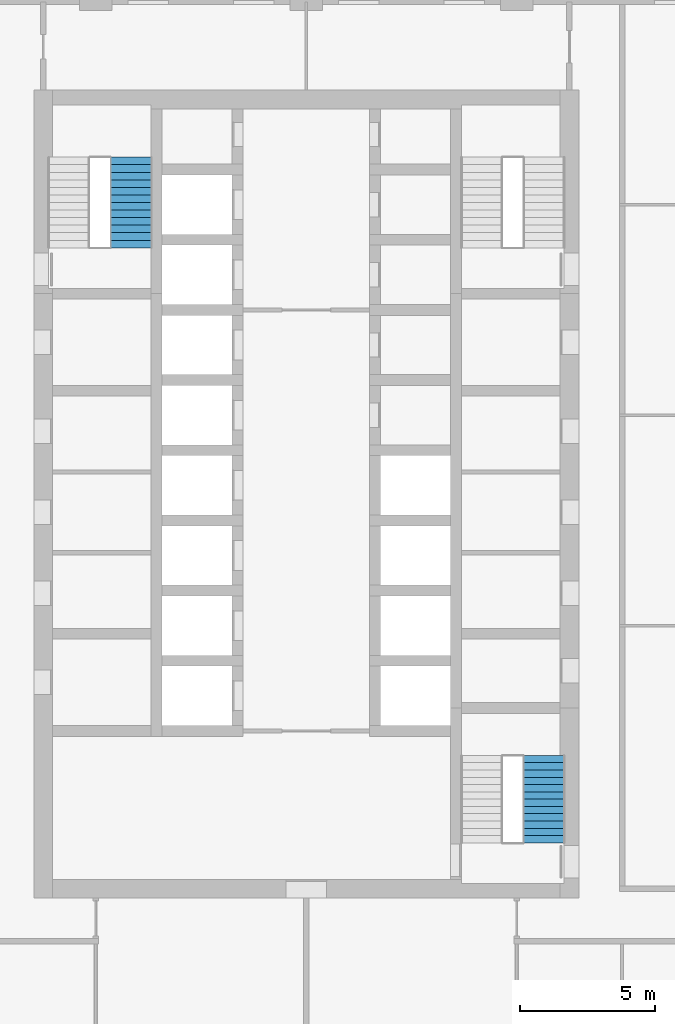
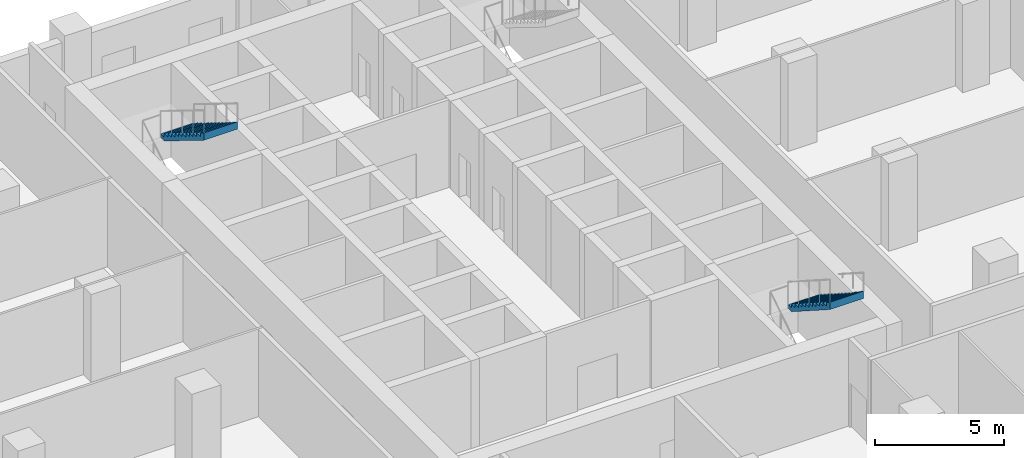
# One storey, part 17 of 23: 2 stair flights, 2 elements without a shape of their own.
"""IFC4 building model written with IfcOpenShell, lengths in metres."""

from ifc_helpers import new_model, si_unit, direction, frame, origin, place, context, subcontext, project, spatial, triangles, material, type_object, element, aggregate, save


model = new_model("IFC4")

# Units and contexts
model_context = context("Model", 3, precision=1e-05, world=origin(), true_north=direction((0.0, 1.0)))
body_context = subcontext(model_context, "Body", "Model", "MODEL_VIEW")
ifc_project = project(units=[si_unit("LENGTHUNIT", "METRE"), si_unit("AREAUNIT", "SQUARE_METRE"), si_unit("VOLUMEUNIT", "CUBIC_METRE"), si_unit("PLANEANGLEUNIT", "RADIAN"), si_unit("MASSUNIT", "GRAM", prefix="KILO")], contexts=[model_context])

# Site, building, storey
site_placement = place(None, origin())
site = spatial("IfcSite", under=ifc_project, at=site_placement, CompositionType="ELEMENT")
building_placement = place(site_placement, origin())
building = spatial("IfcBuilding", under=site, at=building_placement, Name="Ludao Terraces", CompositionType="ELEMENT")
storey_placement = place(building_placement, frame((0.0, 0.0, 10.5)))
storey = spatial("IfcBuildingStorey", under=building, at=storey_placement, Name="L02", CompositionType="ELEMENT", Elevation=10.5)

# Stair, stair flight
ifc_material = material(Name="Concrete C40", Category="concrete")
stair_type = type_object("IfcStairType", Name="INT Stair", PredefinedType="HALF_TURN_STAIR", material=ifc_material)
stair_1_placement = place(storey_placement, origin())
stair_1 = element("IfcStair", 1, at=stair_1_placement, inside=storey, type_object=stair_type, Name="EXIT STAIR 1", PredefinedType="HALF_TURN_STAIR")
stair_flight_type = type_object("IfcStairFlightType", Name="INT Stair flight", PredefinedType="STRAIGHT", material=ifc_material)
stair_flight_1_placement = place(storey_placement, frame((78.5, 82.360107421875, 2.25), z_axis=(0.0, 0.0, 1.0), x_axis=(0.0, -1.0, 0.0)))
stair_flight_1 = element("IfcStairFlight", 2, at=stair_flight_1_placement, type_object=stair_flight_type, Name="ST1 flight 2", NumberOfRisers=13, NumberOfTreads=12, PredefinedType="STRAIGHT", RiserHeight=0.173077, TreadLength=0.28, context=body_context, shape_type="Tessellation", body=[
    triangles([(0.0, -0.75, 0.0), (0.0, -0.5, 0.0), (0.0, -0.25, 0.0), (0.0, 0.0, 0.0), (0.0, 0.25, 0.0), (0.0, 0.5, 0.0), (0.0, 0.75, 0.0), (0.0, -0.75, 0.173095703125), (0.0, -0.5, 0.173095703125), (0.0, -0.25, 0.173095703125), (0.0, 0.0, 0.173095703125), (0.0, 0.25, 0.173095703125), (0.0, 0.5, 0.173095703125), (0.0, 0.75, 0.173095703125), (0.280029296875, -0.75, 0.173095703125), (0.280029296875, -0.5, 0.173095703125), (0.280029296875, -0.25, 0.173095703125), (0.280029296875, 0.0, 0.173095703125), (0.280029296875, 0.25, 0.173095703125), (0.280029296875, 0.5, 0.173095703125), (0.280029296875, 0.75, 0.173095703125), (0.280029296875, -0.75, 0.34619140625), (0.280029296875, -0.5, 0.34619140625), (0.280029296875, -0.25, 0.34619140625), (0.280029296875, 0.0, 0.34619140625), (0.280029296875, 0.25, 0.34619140625), (0.280029296875, 0.5, 0.34619140625), (0.280029296875, 0.75, 0.34619140625), (0.56005859375, -0.75, 0.34619140625), (0.56005859375, -0.5, 0.34619140625), (0.56005859375, -0.25, 0.34619140625), (0.56005859375, 0.0, 0.34619140625), (0.56005859375, 0.25, 0.34619140625), (0.56005859375, 0.5, 0.34619140625), (0.56005859375, 0.75, 0.34619140625), (0.56005859375, -0.75, 0.519287109375), (0.56005859375, -0.5, 0.519287109375), (0.56005859375, -0.25, 0.519287109375), (0.56005859375, 0.0, 0.519287109375), (0.56005859375, 0.25, 0.519287109375), (0.56005859375, 0.5, 0.519287109375), (0.56005859375, 0.75, 0.519287109375), (0.840087890625, -0.75, 0.519287109375), (0.840087890625, -0.5, 0.519287109375), (0.840087890625, -0.25, 0.519287109375), (0.840087890625, 0.0, 0.519287109375), (0.840087890625, 0.25, 0.519287109375), (0.840087890625, 0.5, 0.519287109375), (0.840087890625, 0.75, 0.519287109375), (0.840087890625, -0.75, 0.6923828125), (0.840087890625, -0.5, 0.6923828125), (0.840087890625, -0.25, 0.6923828125), (0.840087890625, 0.0, 0.6923828125), (0.840087890625, 0.25, 0.6923828125), (0.840087890625, 0.5, 0.6923828125), (0.840087890625, 0.75, 0.6923828125), (1.1201171875, -0.75, 0.6923828125), (1.1201171875, -0.5, 0.6923828125), (1.1201171875, -0.25, 0.6923828125), (1.1201171875, 0.0, 0.6923828125), (1.1201171875, 0.25, 0.6923828125), (1.1201171875, 0.5, 0.6923828125), (1.1201171875, 0.75, 0.6923828125), (1.1201171875, -0.75, 0.865478515625), (1.1201171875, -0.5, 0.865478515625), (1.1201171875, -0.25, 0.865478515625), (1.1201171875, 0.0, 0.865478515625), (1.1201171875, 0.25, 0.865478515625), (1.1201171875, 0.5, 0.865478515625), (1.1201171875, 0.75, 0.865478515625), (1.39990234375, -0.75, 0.865478515625), (1.39990234375, -0.5, 0.865478515625), (1.39990234375, -0.25, 0.865478515625), (1.39990234375, 0.0, 0.865478515625), (1.39990234375, 0.25, 0.865478515625), (1.39990234375, 0.5, 0.865478515625), (1.39990234375, 0.75, 0.865478515625), (1.39990234375, -0.75, 1.03857421875), (1.39990234375, -0.5, 1.03857421875), (1.39990234375, -0.25, 1.03857421875), (1.39990234375, 0.0, 1.03857421875), (1.39990234375, 0.25, 1.03857421875), (1.39990234375, 0.5, 1.03857421875), (1.39990234375, 0.75, 1.03857421875), (1.679931640625, -0.75, 1.03857421875), (1.679931640625, -0.5, 1.03857421875), (1.679931640625, -0.25, 1.03857421875), (1.679931640625, 0.0, 1.03857421875), (1.679931640625, 0.25, 1.03857421875), (1.679931640625, 0.5, 1.03857421875), (1.679931640625, 0.75, 1.03857421875), (1.679931640625, -0.75, 1.21142578125), (1.679931640625, -0.5, 1.21142578125), (1.679931640625, -0.25, 1.21142578125), (1.679931640625, 0.0, 1.21142578125), (1.679931640625, 0.25, 1.21142578125), (1.679931640625, 0.5, 1.21142578125), (1.679931640625, 0.75, 1.21142578125), (1.9599609375, -0.75, 1.21142578125), (1.9599609375, -0.5, 1.21142578125), (1.9599609375, -0.25, 1.21142578125), (1.9599609375, 0.0, 1.21142578125), (1.9599609375, 0.25, 1.21142578125), (1.9599609375, 0.5, 1.21142578125), (1.9599609375, 0.75, 1.21142578125), (1.9599609375, -0.75, 1.384521484375), (1.9599609375, -0.5, 1.384521484375), (1.9599609375, -0.25, 1.384521484375), (1.9599609375, 0.0, 1.384521484375), (1.9599609375, 0.25, 1.384521484375), (1.9599609375, 0.5, 1.384521484375), (1.9599609375, 0.75, 1.384521484375), (2.239990234375, -0.75, 1.384521484375), (2.239990234375, -0.5, 1.384521484375), (2.239990234375, -0.25, 1.384521484375), (2.239990234375, 0.0, 1.384521484375), (2.239990234375, 0.25, 1.384521484375), (2.239990234375, 0.5, 1.384521484375), (2.239990234375, 0.75, 1.384521484375), (2.239990234375, -0.75, 1.5576171875), (2.239990234375, -0.5, 1.5576171875), (2.239990234375, -0.25, 1.5576171875), (2.239990234375, 0.0, 1.5576171875), (2.239990234375, 0.25, 1.5576171875), (2.239990234375, 0.5, 1.5576171875), (2.239990234375, 0.75, 1.5576171875), (2.52001953125, -0.75, 1.5576171875), (2.52001953125, -0.5, 1.5576171875), (2.52001953125, -0.25, 1.5576171875), (2.52001953125, 0.0, 1.5576171875), (2.52001953125, 0.25, 1.5576171875), (2.52001953125, 0.5, 1.5576171875), (2.52001953125, 0.75, 1.5576171875), (2.52001953125, -0.75, 1.730712890625), (2.52001953125, -0.5, 1.730712890625), (2.52001953125, -0.25, 1.730712890625), (2.52001953125, 0.0, 1.730712890625), (2.52001953125, 0.25, 1.730712890625), (2.52001953125, 0.5, 1.730712890625), (2.52001953125, 0.75, 1.730712890625), (2.800048828125, -0.75, 1.730712890625), (2.800048828125, -0.5, 1.730712890625), (2.800048828125, -0.25, 1.730712890625), (2.800048828125, 0.0, 1.730712890625), (2.800048828125, 0.25, 1.730712890625), (2.800048828125, 0.5, 1.730712890625), (2.800048828125, 0.75, 1.730712890625), (2.800048828125, -0.75, 1.90380859375), (2.800048828125, -0.5, 1.90380859375), (2.800048828125, -0.25, 1.90380859375), (2.800048828125, 0.0, 1.90380859375), (2.800048828125, 0.25, 1.90380859375), (2.800048828125, 0.5, 1.90380859375), (2.800048828125, 0.75, 1.90380859375), (3.080078125, -0.75, 1.90380859375), (3.080078125, -0.5, 1.90380859375), (3.080078125, -0.25, 1.90380859375), (3.080078125, 0.0, 1.90380859375), (3.080078125, 0.25, 1.90380859375), (3.080078125, 0.5, 1.90380859375), (3.080078125, 0.75, 1.90380859375), (3.080078125, -0.75, 2.076904296875), (3.080078125, -0.5, 2.076904296875), (3.080078125, -0.25, 2.076904296875), (3.080078125, 0.0, 2.076904296875), (3.080078125, 0.25, 2.076904296875), (3.080078125, 0.5, 2.076904296875), (3.080078125, 0.75, 2.076904296875), (3.360107421875, -0.75, 2.25), (3.360107421875, -0.5, 2.25), (3.360107421875, -0.25, 2.25), (3.360107421875, 0.0, 2.25), (3.360107421875, 0.25, 2.25), (3.360107421875, 0.5, 2.25), (3.360107421875, 0.75, 2.25), (3.360107421875, -0.75, 1.900634765625), (3.360107421875, -0.5, 1.900634765625), (3.360107421875, -0.25, 1.900634765625), (3.360107421875, 0.0, 1.900634765625), (3.360107421875, 0.25, 1.900634765625), (3.360107421875, 0.5, 1.900634765625), (3.360107421875, 0.75, 1.900634765625), (0.28515625, -0.75, 0.0), (0.28515625, -0.5, 0.0), (0.28515625, -0.25, 0.0), (0.28515625, 0.0, 0.0), (0.28515625, 0.25, 0.0), (0.28515625, 0.5, 0.0), (0.28515625, 0.75, 0.0)], [[1, 183, 176], [7, 182, 189], [176, 169, 162], [182, 168, 175], [176, 162, 155], [182, 161, 168], [176, 155, 148], [182, 154, 161], [176, 148, 141], [182, 147, 154], [141, 134, 127], [147, 133, 140], [176, 141, 127], [182, 133, 147], [127, 120, 113], [133, 119, 126], [176, 127, 113], [182, 119, 133], [113, 106, 99], [119, 105, 112], [176, 113, 99], [182, 105, 119], [1, 176, 99], [7, 105, 182], [99, 92, 85], [105, 91, 98], [85, 78, 71], [91, 77, 84], [99, 85, 71], [105, 77, 91], [71, 64, 57], [77, 63, 70], [99, 71, 57], [105, 63, 77], [57, 50, 43], [63, 49, 56], [99, 57, 43], [105, 49, 63], [43, 36, 29], [49, 35, 42], [99, 43, 29], [105, 35, 49], [29, 22, 15], [35, 21, 28], [99, 29, 15], [105, 21, 35], [1, 99, 15], [7, 21, 105], [15, 8, 1], [21, 7, 14], [1, 9, 2], [1, 8, 9], [2, 10, 3], [2, 9, 10], [3, 11, 4], [3, 10, 11], [4, 12, 5], [4, 11, 12], [5, 13, 6], [5, 12, 13], [6, 14, 7], [6, 13, 14], [8, 16, 9], [8, 15, 16], [9, 17, 10], [9, 16, 17], [10, 18, 11], [10, 17, 18], [11, 19, 12], [11, 18, 19], [12, 20, 13], [12, 19, 20], [13, 21, 14], [13, 20, 21], [15, 23, 16], [15, 22, 23], [16, 24, 17], [16, 23, 24], [17, 25, 18], [17, 24, 25], [18, 26, 19], [18, 25, 26], [19, 27, 20], [19, 26, 27], [20, 28, 21], [20, 27, 28], [22, 30, 23], [22, 29, 30], [23, 31, 24], [23, 30, 31], [24, 32, 25], [24, 31, 32], [25, 33, 26], [25, 32, 33], [26, 34, 27], [26, 33, 34], [27, 35, 28], [27, 34, 35], [29, 37, 30], [29, 36, 37], [30, 38, 31], [30, 37, 38], [31, 39, 32], [31, 38, 39], [32, 40, 33], [32, 39, 40], [33, 41, 34], [33, 40, 41], [34, 42, 35], [34, 41, 42], [36, 44, 37], [36, 43, 44], [37, 45, 38], [37, 44, 45], [38, 46, 39], [38, 45, 46], [39, 47, 40], [39, 46, 47], [40, 48, 41], [40, 47, 48], [41, 49, 42], [41, 48, 49], [43, 51, 44], [43, 50, 51], [44, 52, 45], [44, 51, 52], [45, 53, 46], [45, 52, 53], [46, 54, 47], [46, 53, 54], [47, 55, 48], [47, 54, 55], [48, 56, 49], [48, 55, 56], [50, 58, 51], [50, 57, 58], [51, 59, 52], [51, 58, 59], [52, 60, 53], [52, 59, 60], [53, 61, 54], [53, 60, 61], [54, 62, 55], [54, 61, 62], [55, 63, 56], [55, 62, 63], [57, 65, 58], [57, 64, 65], [58, 66, 59], [58, 65, 66], [59, 67, 60], [59, 66, 67], [60, 68, 61], [60, 67, 68], [61, 69, 62], [61, 68, 69], [62, 70, 63], [62, 69, 70], [64, 72, 65], [64, 71, 72], [65, 73, 66], [65, 72, 73], [66, 74, 67], [66, 73, 74], [67, 75, 68], [67, 74, 75], [68, 76, 69], [68, 75, 76], [69, 77, 70], [69, 76, 77], [71, 79, 72], [71, 78, 79], [72, 80, 73], [72, 79, 80], [73, 81, 74], [73, 80, 81], [74, 82, 75], [74, 81, 82], [75, 83, 76], [75, 82, 83], [76, 84, 77], [76, 83, 84], [78, 86, 79], [78, 85, 86], [79, 87, 80], [79, 86, 87], [80, 88, 81], [80, 87, 88], [81, 89, 82], [81, 88, 89], [82, 90, 83], [82, 89, 90], [83, 91, 84], [83, 90, 91], [85, 93, 86], [85, 92, 93], [86, 94, 87], [86, 93, 94], [87, 95, 88], [87, 94, 95], [88, 96, 89], [88, 95, 96], [89, 97, 90], [89, 96, 97], [90, 98, 91], [90, 97, 98], [92, 100, 93], [92, 99, 100], [93, 101, 94], [93, 100, 101], [94, 102, 95], [94, 101, 102], [95, 103, 96], [95, 102, 103], [96, 104, 97], [96, 103, 104], [97, 105, 98], [97, 104, 105], [99, 107, 100], [99, 106, 107], [100, 108, 101], [100, 107, 108], [101, 109, 102], [101, 108, 109], [102, 110, 103], [102, 109, 110], [103, 111, 104], [103, 110, 111], [104, 112, 105], [104, 111, 112], [106, 114, 107], [106, 113, 114], [107, 115, 108], [107, 114, 115], [108, 116, 109], [108, 115, 116], [109, 117, 110], [109, 116, 117], [110, 118, 111], [110, 117, 118], [111, 119, 112], [111, 118, 119], [113, 121, 114], [113, 120, 121], [114, 122, 115], [114, 121, 122], [115, 123, 116], [115, 122, 123], [116, 124, 117], [116, 123, 124], [117, 125, 118], [117, 124, 125], [118, 126, 119], [118, 125, 126], [120, 128, 121], [120, 127, 128], [121, 129, 122], [121, 128, 129], [122, 130, 123], [122, 129, 130], [123, 131, 124], [123, 130, 131], [124, 132, 125], [124, 131, 132], [125, 133, 126], [125, 132, 133], [127, 135, 128], [127, 134, 135], [128, 136, 129], [128, 135, 136], [129, 137, 130], [129, 136, 137], [130, 138, 131], [130, 137, 138], [131, 139, 132], [131, 138, 139], [132, 140, 133], [132, 139, 140], [134, 142, 135], [134, 141, 142], [135, 143, 136], [135, 142, 143], [136, 144, 137], [136, 143, 144], [137, 145, 138], [137, 144, 145], [138, 146, 139], [138, 145, 146], [139, 147, 140], [139, 146, 147], [141, 149, 142], [141, 148, 149], [142, 150, 143], [142, 149, 150], [143, 151, 144], [143, 150, 151], [144, 152, 145], [144, 151, 152], [145, 153, 146], [145, 152, 153], [146, 154, 147], [146, 153, 154], [148, 156, 149], [148, 155, 156], [149, 157, 150], [149, 156, 157], [150, 158, 151], [150, 157, 158], [151, 159, 152], [151, 158, 159], [152, 160, 153], [152, 159, 160], [153, 161, 154], [153, 160, 161], [155, 163, 156], [155, 162, 163], [156, 164, 157], [156, 163, 164], [157, 165, 158], [157, 164, 165], [158, 166, 159], [158, 165, 166], [159, 167, 160], [159, 166, 167], [160, 168, 161], [160, 167, 168], [162, 170, 163], [162, 169, 170], [163, 171, 164], [163, 170, 171], [164, 172, 165], [164, 171, 172], [165, 173, 166], [165, 172, 173], [166, 174, 167], [166, 173, 174], [167, 175, 168], [167, 174, 175], [169, 177, 170], [169, 176, 177], [170, 178, 171], [170, 177, 178], [171, 179, 172], [171, 178, 179], [172, 180, 173], [172, 179, 180], [173, 181, 174], [173, 180, 181], [174, 182, 175], [174, 181, 182], [176, 184, 177], [176, 183, 184], [177, 185, 178], [177, 184, 185], [178, 186, 179], [178, 185, 186], [179, 187, 180], [179, 186, 187], [180, 188, 181], [180, 187, 188], [181, 189, 182], [181, 188, 189], [183, 2, 184], [183, 1, 2], [184, 3, 185], [184, 2, 3], [185, 4, 186], [185, 3, 4], [186, 5, 187], [186, 4, 5], [187, 6, 188], [187, 5, 6], [188, 7, 189], [188, 6, 7]], closed=True),
])
aggregate(stair_1, [stair_flight_1])

stair_2_placement = place(storey_placement, origin())
stair_2 = element("IfcStair", 3, at=stair_2_placement, inside=storey, type_object=stair_type, Name="EXIT STAIR 3", PredefinedType="HALF_TURN_STAIR")
stair_flight_2_placement = place(storey_placement, frame((93.800048828125, 60.18994140625, 2.25), z_axis=(0.0, 0.0, 1.0), x_axis=(0.0, -1.0, 0.0)))
stair_flight_2 = element("IfcStairFlight", 4, at=stair_flight_2_placement, type_object=stair_flight_type, Name="ST3 flight 2", NumberOfRisers=13, NumberOfTreads=12, PredefinedType="STRAIGHT", RiserHeight=0.173077, TreadLength=0.27, context=body_context, shape_type="Tessellation", body=[
    triangles([(0.0, -0.75, 0.0), (0.0, -0.5, 0.0), (0.0, -0.25, 0.0), (0.0, 0.0, 0.0), (0.0, 0.25, 0.0), (0.0, 0.5, 0.0), (0.0, 0.75, 0.0), (0.0, -0.75, 0.173095703125), (0.0, -0.5, 0.173095703125), (0.0, -0.25, 0.173095703125), (0.0, 0.0, 0.173095703125), (0.0, 0.25, 0.173095703125), (0.0, 0.5, 0.173095703125), (0.0, 0.75, 0.173095703125), (0.27001953125, -0.75, 0.173095703125), (0.27001953125, -0.5, 0.173095703125), (0.27001953125, -0.25, 0.173095703125), (0.27001953125, 0.0, 0.173095703125), (0.27001953125, 0.25, 0.173095703125), (0.27001953125, 0.5, 0.173095703125), (0.27001953125, 0.75, 0.173095703125), (0.27001953125, -0.75, 0.34619140625), (0.27001953125, -0.5, 0.34619140625), (0.27001953125, -0.25, 0.34619140625), (0.27001953125, 0.0, 0.34619140625), (0.27001953125, 0.25, 0.34619140625), (0.27001953125, 0.5, 0.34619140625), (0.27001953125, 0.75, 0.34619140625), (0.5400390625, -0.75, 0.34619140625), (0.5400390625, -0.5, 0.34619140625), (0.5400390625, -0.25, 0.34619140625), (0.5400390625, 0.0, 0.34619140625), (0.5400390625, 0.25, 0.34619140625), (0.5400390625, 0.5, 0.34619140625), (0.5400390625, 0.75, 0.34619140625), (0.5400390625, -0.75, 0.519287109375), (0.5400390625, -0.5, 0.519287109375), (0.5400390625, -0.25, 0.519287109375), (0.5400390625, 0.0, 0.519287109375), (0.5400390625, 0.25, 0.519287109375), (0.5400390625, 0.5, 0.519287109375), (0.5400390625, 0.75, 0.519287109375), (0.81005859375, -0.75, 0.519287109375), (0.81005859375, -0.5, 0.519287109375), (0.81005859375, -0.25, 0.519287109375), (0.81005859375, 0.0, 0.519287109375), (0.81005859375, 0.25, 0.519287109375), (0.81005859375, 0.5, 0.519287109375), (0.81005859375, 0.75, 0.519287109375), (0.81005859375, -0.75, 0.6923828125), (0.81005859375, -0.5, 0.6923828125), (0.81005859375, -0.25, 0.6923828125), (0.81005859375, 0.0, 0.6923828125), (0.81005859375, 0.25, 0.6923828125), (0.81005859375, 0.5, 0.6923828125), (0.81005859375, 0.75, 0.6923828125), (1.080078125, -0.75, 0.6923828125), (1.080078125, -0.5, 0.6923828125), (1.080078125, -0.25, 0.6923828125), (1.080078125, 0.0, 0.6923828125), (1.080078125, 0.25, 0.6923828125), (1.080078125, 0.5, 0.6923828125), (1.080078125, 0.75, 0.6923828125), (1.080078125, -0.75, 0.865478515625), (1.080078125, -0.5, 0.865478515625), (1.080078125, -0.25, 0.865478515625), (1.080078125, 0.0, 0.865478515625), (1.080078125, 0.25, 0.865478515625), (1.080078125, 0.5, 0.865478515625), (1.080078125, 0.75, 0.865478515625), (1.35009765625, -0.75, 0.865478515625), (1.35009765625, -0.5, 0.865478515625), (1.35009765625, -0.25, 0.865478515625), (1.35009765625, 0.0, 0.865478515625), (1.35009765625, 0.25, 0.865478515625), (1.35009765625, 0.5, 0.865478515625), (1.35009765625, 0.75, 0.865478515625), (1.35009765625, -0.75, 1.03857421875), (1.35009765625, -0.5, 1.03857421875), (1.35009765625, -0.25, 1.03857421875), (1.35009765625, 0.0, 1.03857421875), (1.35009765625, 0.25, 1.03857421875), (1.35009765625, 0.5, 1.03857421875), (1.35009765625, 0.75, 1.03857421875), (1.6201171875, -0.75, 1.03857421875), (1.6201171875, -0.5, 1.03857421875), (1.6201171875, -0.25, 1.03857421875), (1.6201171875, 0.0, 1.03857421875), (1.6201171875, 0.25, 1.03857421875), (1.6201171875, 0.5, 1.03857421875), (1.6201171875, 0.75, 1.03857421875), (1.6201171875, -0.75, 1.21142578125), (1.6201171875, -0.5, 1.21142578125), (1.6201171875, -0.25, 1.21142578125), (1.6201171875, 0.0, 1.21142578125), (1.6201171875, 0.25, 1.21142578125), (1.6201171875, 0.5, 1.21142578125), (1.6201171875, 0.75, 1.21142578125), (1.889892578125, -0.75, 1.21142578125), (1.889892578125, -0.5, 1.21142578125), (1.889892578125, -0.25, 1.21142578125), (1.889892578125, 0.0, 1.21142578125), (1.889892578125, 0.25, 1.21142578125), (1.889892578125, 0.5, 1.21142578125), (1.889892578125, 0.75, 1.21142578125), (1.889892578125, -0.75, 1.384521484375), (1.889892578125, -0.5, 1.384521484375), (1.889892578125, -0.25, 1.384521484375), (1.889892578125, 0.0, 1.384521484375), (1.889892578125, 0.25, 1.384521484375), (1.889892578125, 0.5, 1.384521484375), (1.889892578125, 0.75, 1.384521484375), (2.159912109375, -0.75, 1.384521484375), (2.159912109375, -0.5, 1.384521484375), (2.159912109375, -0.25, 1.384521484375), (2.159912109375, 0.0, 1.384521484375), (2.159912109375, 0.25, 1.384521484375), (2.159912109375, 0.5, 1.384521484375), (2.159912109375, 0.75, 1.384521484375), (2.159912109375, -0.75, 1.5576171875), (2.159912109375, -0.5, 1.5576171875), (2.159912109375, -0.25, 1.5576171875), (2.159912109375, 0.0, 1.5576171875), (2.159912109375, 0.25, 1.5576171875), (2.159912109375, 0.5, 1.5576171875), (2.159912109375, 0.75, 1.5576171875), (2.429931640625, -0.75, 1.5576171875), (2.429931640625, -0.5, 1.5576171875), (2.429931640625, -0.25, 1.5576171875), (2.429931640625, 0.0, 1.5576171875), (2.429931640625, 0.25, 1.5576171875), (2.429931640625, 0.5, 1.5576171875), (2.429931640625, 0.75, 1.5576171875), (2.429931640625, -0.75, 1.730712890625), (2.429931640625, -0.5, 1.730712890625), (2.429931640625, -0.25, 1.730712890625), (2.429931640625, 0.0, 1.730712890625), (2.429931640625, 0.25, 1.730712890625), (2.429931640625, 0.5, 1.730712890625), (2.429931640625, 0.75, 1.730712890625), (2.699951171875, -0.75, 1.730712890625), (2.699951171875, -0.5, 1.730712890625), (2.699951171875, -0.25, 1.730712890625), (2.699951171875, 0.0, 1.730712890625), (2.699951171875, 0.25, 1.730712890625), (2.699951171875, 0.5, 1.730712890625), (2.699951171875, 0.75, 1.730712890625), (2.699951171875, -0.75, 1.90380859375), (2.699951171875, -0.5, 1.90380859375), (2.699951171875, -0.25, 1.90380859375), (2.699951171875, 0.0, 1.90380859375), (2.699951171875, 0.25, 1.90380859375), (2.699951171875, 0.5, 1.90380859375), (2.699951171875, 0.75, 1.90380859375), (2.969970703125, -0.75, 1.90380859375), (2.969970703125, -0.5, 1.90380859375), (2.969970703125, -0.25, 1.90380859375), (2.969970703125, 0.0, 1.90380859375), (2.969970703125, 0.25, 1.90380859375), (2.969970703125, 0.5, 1.90380859375), (2.969970703125, 0.75, 1.90380859375), (2.969970703125, -0.75, 2.076904296875), (2.969970703125, -0.5, 2.076904296875), (2.969970703125, -0.25, 2.076904296875), (2.969970703125, 0.0, 2.076904296875), (2.969970703125, 0.25, 2.076904296875), (2.969970703125, 0.5, 2.076904296875), (2.969970703125, 0.75, 2.076904296875), (3.239990234375, -0.75, 2.25), (3.239990234375, -0.5, 2.25), (3.239990234375, -0.25, 2.25), (3.239990234375, 0.0, 2.25), (3.239990234375, 0.25, 2.25), (3.239990234375, 0.5, 2.25), (3.239990234375, 0.75, 2.25), (3.239990234375, -0.75, 1.89892578125), (3.239990234375, -0.5, 1.89892578125), (3.239990234375, -0.25, 1.89892578125), (3.239990234375, 0.0, 1.89892578125), (3.239990234375, 0.25, 1.89892578125), (3.239990234375, 0.5, 1.89892578125), (3.239990234375, 0.75, 1.89892578125), (0.27783203125, -0.75, 0.0), (0.27783203125, -0.5, 0.0), (0.27783203125, -0.25, 0.0), (0.27783203125, 0.0, 0.0), (0.27783203125, 0.25, 0.0), (0.27783203125, 0.5, 0.0), (0.27783203125, 0.75, 0.0)], [[1, 183, 176], [7, 182, 189], [176, 169, 162], [182, 168, 175], [176, 162, 155], [182, 161, 168], [176, 155, 148], [182, 154, 161], [176, 148, 141], [182, 147, 154], [141, 134, 127], [147, 133, 140], [176, 141, 127], [182, 133, 147], [127, 120, 113], [133, 119, 126], [176, 127, 113], [182, 119, 133], [113, 106, 99], [119, 105, 112], [176, 113, 99], [182, 105, 119], [1, 176, 99], [7, 105, 182], [99, 92, 85], [105, 91, 98], [85, 78, 71], [91, 77, 84], [99, 85, 71], [105, 77, 91], [71, 64, 57], [77, 63, 70], [99, 71, 57], [105, 63, 77], [57, 50, 43], [63, 49, 56], [99, 57, 43], [105, 49, 63], [43, 36, 29], [49, 35, 42], [99, 43, 29], [105, 35, 49], [29, 22, 15], [35, 21, 28], [99, 29, 15], [105, 21, 35], [1, 99, 15], [7, 21, 105], [15, 8, 1], [21, 7, 14], [1, 9, 2], [1, 8, 9], [2, 10, 3], [2, 9, 10], [3, 11, 4], [3, 10, 11], [4, 12, 5], [4, 11, 12], [5, 13, 6], [5, 12, 13], [6, 14, 7], [6, 13, 14], [8, 16, 9], [8, 15, 16], [9, 17, 10], [9, 16, 17], [10, 18, 11], [10, 17, 18], [11, 19, 12], [11, 18, 19], [12, 20, 13], [12, 19, 20], [13, 21, 14], [13, 20, 21], [15, 23, 16], [15, 22, 23], [16, 24, 17], [16, 23, 24], [17, 25, 18], [17, 24, 25], [18, 26, 19], [18, 25, 26], [19, 27, 20], [19, 26, 27], [20, 28, 21], [20, 27, 28], [22, 30, 23], [22, 29, 30], [23, 31, 24], [23, 30, 31], [24, 32, 25], [24, 31, 32], [25, 33, 26], [25, 32, 33], [26, 34, 27], [26, 33, 34], [27, 35, 28], [27, 34, 35], [29, 37, 30], [29, 36, 37], [30, 38, 31], [30, 37, 38], [31, 39, 32], [31, 38, 39], [32, 40, 33], [32, 39, 40], [33, 41, 34], [33, 40, 41], [34, 42, 35], [34, 41, 42], [36, 44, 37], [36, 43, 44], [37, 45, 38], [37, 44, 45], [38, 46, 39], [38, 45, 46], [39, 47, 40], [39, 46, 47], [40, 48, 41], [40, 47, 48], [41, 49, 42], [41, 48, 49], [43, 51, 44], [43, 50, 51], [44, 52, 45], [44, 51, 52], [45, 53, 46], [45, 52, 53], [46, 54, 47], [46, 53, 54], [47, 55, 48], [47, 54, 55], [48, 56, 49], [48, 55, 56], [50, 58, 51], [50, 57, 58], [51, 59, 52], [51, 58, 59], [52, 60, 53], [52, 59, 60], [53, 61, 54], [53, 60, 61], [54, 62, 55], [54, 61, 62], [55, 63, 56], [55, 62, 63], [57, 65, 58], [57, 64, 65], [58, 66, 59], [58, 65, 66], [59, 67, 60], [59, 66, 67], [60, 68, 61], [60, 67, 68], [61, 69, 62], [61, 68, 69], [62, 70, 63], [62, 69, 70], [64, 72, 65], [64, 71, 72], [65, 73, 66], [65, 72, 73], [66, 74, 67], [66, 73, 74], [67, 75, 68], [67, 74, 75], [68, 76, 69], [68, 75, 76], [69, 77, 70], [69, 76, 77], [71, 79, 72], [71, 78, 79], [72, 80, 73], [72, 79, 80], [73, 81, 74], [73, 80, 81], [74, 82, 75], [74, 81, 82], [75, 83, 76], [75, 82, 83], [76, 84, 77], [76, 83, 84], [78, 86, 79], [78, 85, 86], [79, 87, 80], [79, 86, 87], [80, 88, 81], [80, 87, 88], [81, 89, 82], [81, 88, 89], [82, 90, 83], [82, 89, 90], [83, 91, 84], [83, 90, 91], [85, 93, 86], [85, 92, 93], [86, 94, 87], [86, 93, 94], [87, 95, 88], [87, 94, 95], [88, 96, 89], [88, 95, 96], [89, 97, 90], [89, 96, 97], [90, 98, 91], [90, 97, 98], [92, 100, 93], [92, 99, 100], [93, 101, 94], [93, 100, 101], [94, 102, 95], [94, 101, 102], [95, 103, 96], [95, 102, 103], [96, 104, 97], [96, 103, 104], [97, 105, 98], [97, 104, 105], [99, 107, 100], [99, 106, 107], [100, 108, 101], [100, 107, 108], [101, 109, 102], [101, 108, 109], [102, 110, 103], [102, 109, 110], [103, 111, 104], [103, 110, 111], [104, 112, 105], [104, 111, 112], [106, 114, 107], [106, 113, 114], [107, 115, 108], [107, 114, 115], [108, 116, 109], [108, 115, 116], [109, 117, 110], [109, 116, 117], [110, 118, 111], [110, 117, 118], [111, 119, 112], [111, 118, 119], [113, 121, 114], [113, 120, 121], [114, 122, 115], [114, 121, 122], [115, 123, 116], [115, 122, 123], [116, 124, 117], [116, 123, 124], [117, 125, 118], [117, 124, 125], [118, 126, 119], [118, 125, 126], [120, 128, 121], [120, 127, 128], [121, 129, 122], [121, 128, 129], [122, 130, 123], [122, 129, 130], [123, 131, 124], [123, 130, 131], [124, 132, 125], [124, 131, 132], [125, 133, 126], [125, 132, 133], [127, 135, 128], [127, 134, 135], [128, 136, 129], [128, 135, 136], [129, 137, 130], [129, 136, 137], [130, 138, 131], [130, 137, 138], [131, 139, 132], [131, 138, 139], [132, 140, 133], [132, 139, 140], [134, 142, 135], [134, 141, 142], [135, 143, 136], [135, 142, 143], [136, 144, 137], [136, 143, 144], [137, 145, 138], [137, 144, 145], [138, 146, 139], [138, 145, 146], [139, 147, 140], [139, 146, 147], [141, 149, 142], [141, 148, 149], [142, 150, 143], [142, 149, 150], [143, 151, 144], [143, 150, 151], [144, 152, 145], [144, 151, 152], [145, 153, 146], [145, 152, 153], [146, 154, 147], [146, 153, 154], [148, 156, 149], [148, 155, 156], [149, 157, 150], [149, 156, 157], [150, 158, 151], [150, 157, 158], [151, 159, 152], [151, 158, 159], [152, 160, 153], [152, 159, 160], [153, 161, 154], [153, 160, 161], [155, 163, 156], [155, 162, 163], [156, 164, 157], [156, 163, 164], [157, 165, 158], [157, 164, 165], [158, 166, 159], [158, 165, 166], [159, 167, 160], [159, 166, 167], [160, 168, 161], [160, 167, 168], [162, 170, 163], [162, 169, 170], [163, 171, 164], [163, 170, 171], [164, 172, 165], [164, 171, 172], [165, 173, 166], [165, 172, 173], [166, 174, 167], [166, 173, 174], [167, 175, 168], [167, 174, 175], [169, 177, 170], [169, 176, 177], [170, 178, 171], [170, 177, 178], [171, 179, 172], [171, 178, 179], [172, 180, 173], [172, 179, 180], [173, 181, 174], [173, 180, 181], [174, 182, 175], [174, 181, 182], [176, 184, 177], [176, 183, 184], [177, 185, 178], [177, 184, 185], [178, 186, 179], [178, 185, 186], [179, 187, 180], [179, 186, 187], [180, 188, 181], [180, 187, 188], [181, 189, 182], [181, 188, 189], [183, 2, 184], [183, 1, 2], [184, 3, 185], [184, 2, 3], [185, 4, 186], [185, 3, 4], [186, 5, 187], [186, 4, 5], [187, 6, 188], [187, 5, 6], [188, 7, 189], [188, 6, 7]], closed=True),
])
aggregate(stair_2, [stair_flight_2])

save(model, "model.ifc")
